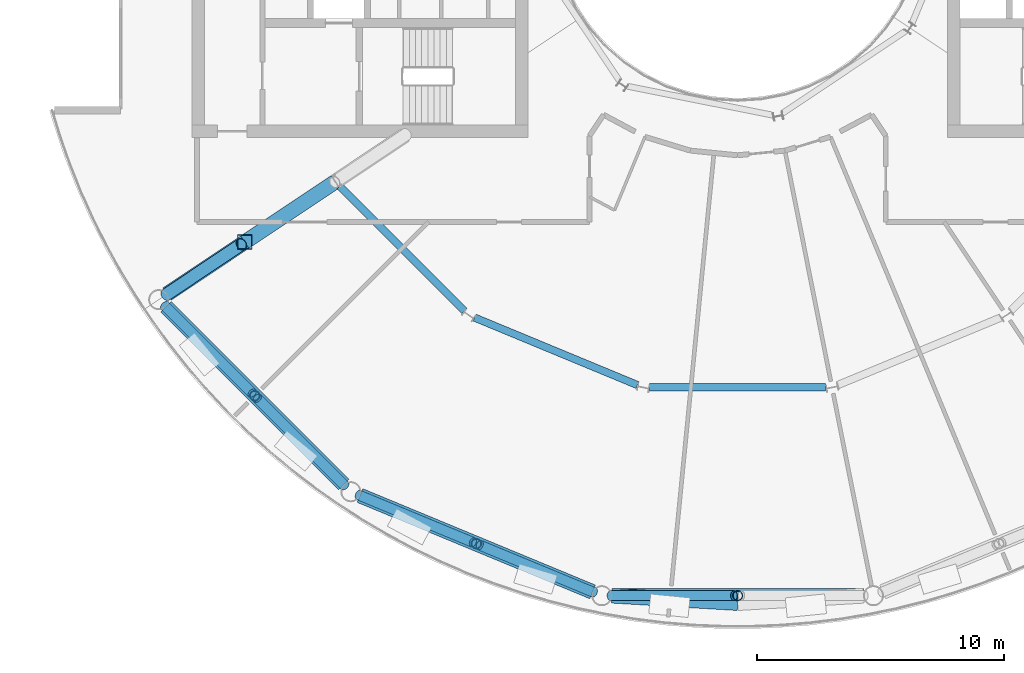
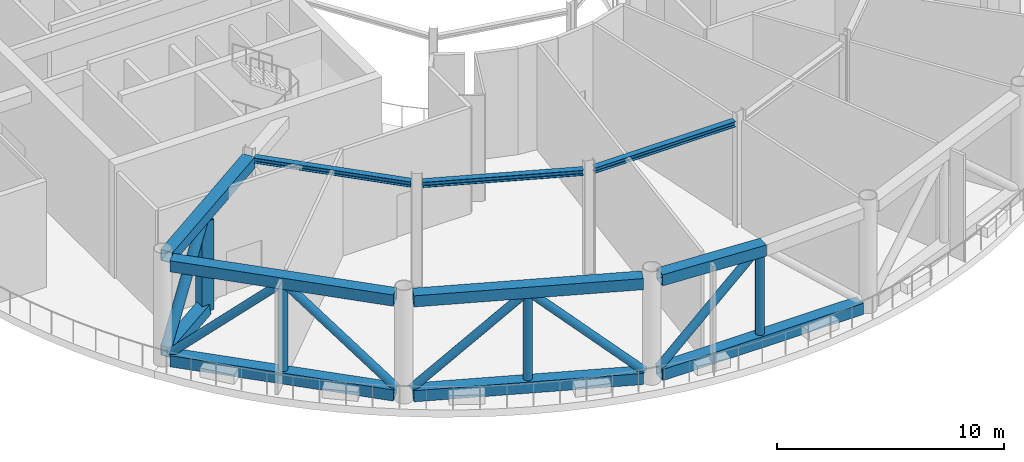
# One storey, part 5 of 24: 11 beams, 10 members.
"""IFC4 building model written with IfcOpenShell, lengths in metres."""

from ifc_helpers import new_model, si_unit, direction, frame, origin, origin_2d, place, context, subcontext, project, spatial, hollow_rectangle, hollow_circle, i_section, extrude, material, material_profile, profile_set, type_object, element, save


model = new_model("IFC4")

# Units and contexts
model_context = context("Model", 3, precision=1e-05, world=origin(), true_north=direction((0.0, 1.0)))
body_context = subcontext(model_context, "Body", "Model", "MODEL_VIEW")
ifc_project = project(units=[si_unit("LENGTHUNIT", "METRE"), si_unit("AREAUNIT", "SQUARE_METRE"), si_unit("VOLUMEUNIT", "CUBIC_METRE"), si_unit("PLANEANGLEUNIT", "RADIAN"), si_unit("MASSUNIT", "GRAM", prefix="KILO")], contexts=[model_context])

# Site, building, storey
site_placement = place(None, origin())
site = spatial("IfcSite", under=ifc_project, at=site_placement, CompositionType="ELEMENT")
building_placement = place(site_placement, origin())
building = spatial("IfcBuilding", under=site, at=building_placement, Name="Maasbend Ring Residences", CompositionType="ELEMENT")
storey_placement = place(building_placement, frame((0.0, 0.0, 179.89990234375)))
storey = spatial("IfcBuildingStorey", under=building, at=storey_placement, Name="L52", CompositionType="ELEMENT", Elevation=179.89990234375)

# Beams
ifc_material_1 = material(Name="Steel S460M", Category="steel")
ifc_material_profile_1 = material_profile(ifc_material_1, hollow_rectangle(XDim=0.60009765625, YDim=0.60009765625, WallThickness=0.035888671875, at=origin_2d()), Name="Belt truss chord BX 600x600x36")
ifc_profile_set_1 = profile_set([ifc_material_profile_1], Name="Steel S460M")
beam_type_1 = type_object("IfcBeamType", Name="Belt truss chord BX 600x600x36", PredefinedType="BEAM", material=ifc_profile_set_1)
for number, where, z_axis, x_axis, name in (
    (1, (-23.159912109375, -15.95458984375, 0.300048828125), (0.707106781187, -0.707106781187, 0.0), (0.707106781187, 0.707106781187, 0.0), "Belt truss"),
    (2, (-23.159912109375, -15.95458984375, 5.400146484375), (0.707106781187, -0.707106781187, 0.0), (0.707106781187, 0.707106781187, 0.0), "Belt truss"),
    (3, (-15.29150390625, -23.60302734375, 0.300048828125), (0.923883676188, -0.382673428492, 0.0), (0.382673428492, 0.923883676188, 0.0), "Belt truss"),
    (4, (-15.29150390625, -23.60302734375, 5.400146484375), (0.923883676188, -0.382673428492, 0.0), (0.382673428492, 0.923883676188, 0.0), "Belt truss"),
    (5, (-5.094970703125, -27.658203125, 0.300048828125), (1.0, 0.0, 0.0), (0.0, 1.0, 0.0), "Belt truss"),
):
    element("IfcBeam", number, at=place(storey_placement, frame(where, z_axis=z_axis, x_axis=x_axis)), inside=storey, type_object=beam_type_1, Name=name, PredefinedType="BEAM", context=body_context, shape_type="SweptSolid", body=[
        extrude(hollow_rectangle(XDim=0.60009765625, YDim=0.60009765625, WallThickness=0.035888671875, at=origin_2d()), origin(), (0.0, 0.0, 1.0), 10.18994140625),
    ])
beam_1_placement = place(storey_placement, frame((-5.094970703125, -27.658203125, 5.400146484375), z_axis=(0.998273218339, -0.058741650875, 0.0), x_axis=(0.058741650875, 0.998273218339, 0.0)))
element("IfcBeam", 6, at=beam_1_placement, inside=storey, type_object=beam_type_1, Name="Belt truss", PredefinedType="BEAM", context=body_context, shape_type="SweptSolid", body=[
    extrude(hollow_rectangle(XDim=0.60009765625, YDim=0.60009765625, WallThickness=0.035888671875, at=origin_2d()), origin(), (0.0, 0.0, 1.0), 5.103759765625),
])

# Members
ifc_material_2 = material(Name="Steel S460NH", Category="steel")
ifc_material_profile_2 = material_profile(ifc_material_2, hollow_circle(Radius=0.203125, WallThickness=0.01611328125, at=origin_2d()), Name="Belt truss diagonal CHS 406.4x16")
ifc_profile_set_2 = profile_set([ifc_material_profile_2], Name="Steel S460NH")
member_type_1 = type_object("IfcMemberType", Name="Belt truss diagonal CHS 406.4x16", PredefinedType="BRACE", material=ifc_profile_set_2)
for number, where, z_axis, x_axis, name in (
    (7, (-23.198486328125, -15.916015625, 0.550048828125), (0.520400679453, -0.520400679453, 0.677027522077), (0.707106781187, 0.707106781187, 0.0), "Belt truss diagonal"),
    (8, (-19.451904296875, -19.66259765625, 5.150146484375), (0.520400679453, -0.520400679453, -0.677027522077), (0.707106781187, 0.707106781187, 0.0), "Belt truss diagonal"),
):
    element("IfcMember", number, at=place(storey_placement, frame(where, z_axis=z_axis, x_axis=x_axis)), inside=storey, type_object=member_type_1, Name=name, PredefinedType="BRACE", context=body_context, shape_type="SweptSolid", body=[
        extrude(hollow_circle(Radius=0.203125, WallThickness=0.01611328125, at=origin_2d()), origin(), (0.0, 0.0, 1.0), 6.79443359375),
    ])
member_1_placement = place(storey_placement, frame((-15.341796875, -23.582275390625, 0.550048828125), z_axis=(0.679957497264, -0.281626868715, 0.677011158499), x_axis=(0.382659368921, 0.923889499549, 0.0)))
element("IfcMember", 9, at=member_1_placement, inside=storey, type_object=member_type_1, Name="Belt truss diagonal", PredefinedType="BRACE", context=body_context, shape_type="SweptSolid", body=[
    extrude(hollow_circle(Radius=0.203125, WallThickness=0.01611328125, at=origin_2d()), origin(), (0.0, 0.0, 1.0), 6.794677734375),
])
member_2_placement = place(storey_placement, frame((-10.44677734375, -25.609619140625, 5.150146484375), z_axis=(0.679938177995, -0.281633749359, -0.677027699084), x_axis=(0.382676629581, 0.923882350288, 0.0)))
element("IfcMember", 10, at=member_2_placement, inside=storey, type_object=member_type_1, Name="Belt truss diagonal", PredefinedType="BRACE", context=body_context, shape_type="SweptSolid", body=[
    extrude(hollow_circle(Radius=0.203125, WallThickness=0.01611328125, at=origin_2d()), origin(), (0.0, 0.0, 1.0), 6.79443359375),
])
member_3_placement = place(storey_placement, frame((-5.1494140625, -27.658203125, 0.550048828125), z_axis=(0.735973261866, 0.0, 0.677010603919), x_axis=(0.0, 1.0, 0.0)))
element("IfcMember", 11, at=member_3_placement, inside=storey, type_object=member_type_1, Name="Belt truss diagonal", PredefinedType="BRACE", context=body_context, shape_type="SweptSolid", body=[
    extrude(hollow_circle(Radius=0.203125, WallThickness=0.01611328125, at=origin_2d()), origin(), (0.0, 0.0, 1.0), 6.794677734375),
])
ifc_material_3 = material(Name="Steel S460NH", Category="steel")
ifc_material_profile_3 = material_profile(ifc_material_3, hollow_circle(Radius=0.203125, WallThickness=0.01611328125, at=origin_2d()), Name="Belt truss post CHS 406.4x16")
ifc_profile_set_3 = profile_set([ifc_material_profile_3], Name="Steel S460NH")
member_type_2 = type_object("IfcMemberType", Name="Belt truss post CHS 406.4x16", PredefinedType="POST", material=ifc_profile_set_3)
for number, where, z_axis, x_axis, name in (
    (12, (-19.55712890625, -19.55712890625, 0.60009765625), (0.0, 0.0, 1.0), (1.0, 0.0, 0.0), "Belt truss post"),
    (13, (-10.584228515625, -25.552734375, 0.60009765625), (0.0, 0.0, 1.0), (1.0, 0.0, 0.0), "Belt truss post"),
    (14, (0.0, -27.658203125, 0.60009765625), (0.0, 0.0, 1.0), (1.0, 0.0, 0.0), "Belt truss post"),
):
    element("IfcMember", number, at=place(storey_placement, frame(where, z_axis=z_axis, x_axis=x_axis)), inside=storey, type_object=member_type_2, Name=name, PredefinedType="POST", context=body_context, shape_type="SweptSolid", body=[
        extrude(hollow_circle(Radius=0.203125, WallThickness=0.01611328125, at=origin_2d()), origin(), (0.0, 0.0, 1.0), 4.5),
    ])

# Beams
ifc_material_4 = material(Name="Steel S355J2", Category="steel")
ifc_material_profile_4 = material_profile(ifc_material_4, i_section(OverallWidth=0.300048828125, OverallDepth=0.2900390625, WebThickness=0.008544921875, FlangeThickness=0.013916015625, FilletRadius=0.027099609375, at=origin_2d()), Name="HEA 300")
ifc_profile_set_4 = profile_set([ifc_material_profile_4], Name="Steel S355J2")
beam_type_2 = type_object("IfcBeamType", Name="Corridor ring beam HEA 300", PredefinedType="BEAM", material=ifc_profile_set_4)
for number, where, z_axis, x_axis, name in (
    (15, (-16.11669921875, -11.0693359375, 5.55517578125), (0.707106781187, -0.707106781187, 0.0), (0.707106781187, 0.707106781187, 0.0), "Corridor ring beam"),
    (16, (-10.65380859375, -16.394287109375, 5.55517578125), (0.923871339849, -0.382703210602, 0.0), (0.382703210602, 0.923871339849, 0.0), "Corridor ring beam"),
):
    element("IfcBeam", number, at=place(storey_placement, frame(where, z_axis=z_axis, x_axis=x_axis)), inside=storey, type_object=beam_type_2, Name=name, PredefinedType="BEAM", context=body_context, shape_type="SweptSolid", body=[
        extrude(i_section(OverallWidth=0.300048828125, OverallDepth=0.2900390625, WebThickness=0.008544921875, FlangeThickness=0.013916015625, FilletRadius=0.027099609375, at=origin_2d()), origin(), (0.0, 0.0, 1.0), 7.137939453125),
    ])
beam_2_placement = place(storey_placement, frame((-3.56884765625, -19.223388671875, 5.55517578125), z_axis=(1.0, 0.0, 0.0), x_axis=(0.0, 1.0, 0.0)))
element("IfcBeam", 17, at=beam_2_placement, inside=storey, type_object=beam_type_2, Name="Corridor ring beam", PredefinedType="BEAM", context=body_context, shape_type="SweptSolid", body=[
    extrude(i_section(OverallWidth=0.300048828125, OverallDepth=0.2900390625, WebThickness=0.008544921875, FlangeThickness=0.013916015625, FilletRadius=0.027099609375, at=origin_2d()), origin(), (0.0, 0.0, 1.0), 7.1376953125),
])
ifc_material_5 = material(Name="Steel S460M", Category="steel")
ifc_material_profile_5 = material_profile(ifc_material_5, hollow_rectangle(XDim=0.60009765625, YDim=0.60009765625, WallThickness=0.035888671875, at=origin_2d()), Name="Outrigger truss chord BX 600x600x36")
ifc_profile_set_5 = profile_set([ifc_material_profile_5], Name="Steel S460M")
beam_type_3 = type_object("IfcBeamType", Name="Outrigger truss chord BX 600x600x36", PredefinedType="BEAM", material=ifc_profile_set_5)
beam_3_placement = place(storey_placement, frame((-23.109375, -15.44140625, 0.300048828125), z_axis=(0.831444556462, 0.555607729904, 0.0), x_axis=(-0.555607729904, 0.831444556462, 0.0)))
element("IfcBeam", 18, at=beam_3_placement, inside=storey, type_object=beam_type_3, Name="Outrigger truss", PredefinedType="BEAM", context=body_context, shape_type="SweptSolid", body=[
    extrude(hollow_rectangle(XDim=0.60009765625, YDim=0.60009765625, WallThickness=0.035888671875, at=origin_2d()), origin(), (0.0, 0.0, 1.0), 3.78564453125),
])
beam_4_placement = place(storey_placement, frame((-23.109375, -15.44140625, 5.400146484375), z_axis=(0.831453297605, 0.555594648914, 0.0), x_axis=(-0.555594648914, 0.831453297605, 0.0)))
element("IfcBeam", 19, at=beam_4_placement, inside=storey, type_object=beam_type_3, Name="Outrigger truss", PredefinedType="BEAM", context=body_context, shape_type="SweptSolid", body=[
    extrude(hollow_rectangle(XDim=0.60009765625, YDim=0.60009765625, WallThickness=0.035888671875, at=origin_2d()), origin(), (0.0, 0.0, 1.0), 8.185546875),
])

# Members
ifc_material_6 = material(Name="Steel S460NH", Category="steel")
ifc_material_profile_6 = material_profile(ifc_material_6, hollow_circle(Radius=0.25390625, WallThickness=0.02490234375, at=origin_2d()), Name="Outrigger truss diagonal CHS 508x25")
ifc_profile_set_6 = profile_set([ifc_material_profile_6], Name="Steel S460NH")
member_type_3 = type_object("IfcMemberType", Name="Outrigger truss diagonal CHS 508x25", PredefinedType="BRACE", material=ifc_profile_set_6)
member_4_placement = place(storey_placement, frame((-23.142578125, -15.46337890625, 0.550048828125), z_axis=(0.51783647602, 0.346013259135, 0.782381114679), x_axis=(-0.555576879921, 0.831465170946, 0.0)))
element("IfcMember", 20, at=member_4_placement, inside=storey, type_object=member_type_3, Name="Outrigger truss diagonal", PredefinedType="BRACE", context=body_context, shape_type="SweptSolid", body=[
    extrude(hollow_circle(Radius=0.25390625, WallThickness=0.02490234375, at=origin_2d()), origin(), (0.0, 0.0, 1.0), 5.879638671875),
])
ifc_material_7 = material(Name="Steel S460M", Category="steel")
ifc_material_profile_7 = material_profile(ifc_material_7, hollow_rectangle(XDim=0.60009765625, YDim=0.60009765625, WallThickness=0.035888671875, at=origin_2d()), Name="Outrigger truss post BX 600x600x36")
ifc_profile_set_7 = profile_set([ifc_material_profile_7], Name="Steel S460M")
member_type_4 = type_object("IfcMemberType", Name="Outrigger truss post BX 600x600x36", PredefinedType="POST", material=ifc_profile_set_7)
member_5_placement = place(storey_placement, frame((-19.9619140625, -13.338134765625, 0.25), z_axis=(0.0, 0.0, 1.0), x_axis=(1.0, 0.0, 0.0)))
element("IfcMember", 21, at=member_5_placement, inside=storey, type_object=member_type_4, Name="Outrigger truss post", PredefinedType="POST", context=body_context, shape_type="SweptSolid", body=[
    extrude(hollow_rectangle(XDim=0.60009765625, YDim=0.60009765625, WallThickness=0.035888671875, at=origin_2d()), origin(), (0.0, 0.0, 1.0), 4.85009765625),
])

save(model, "model.ifc")
